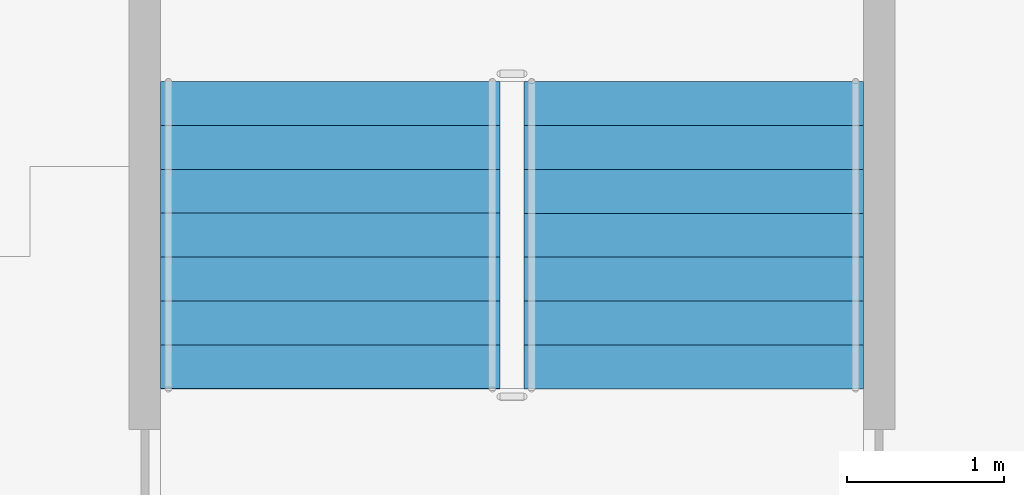
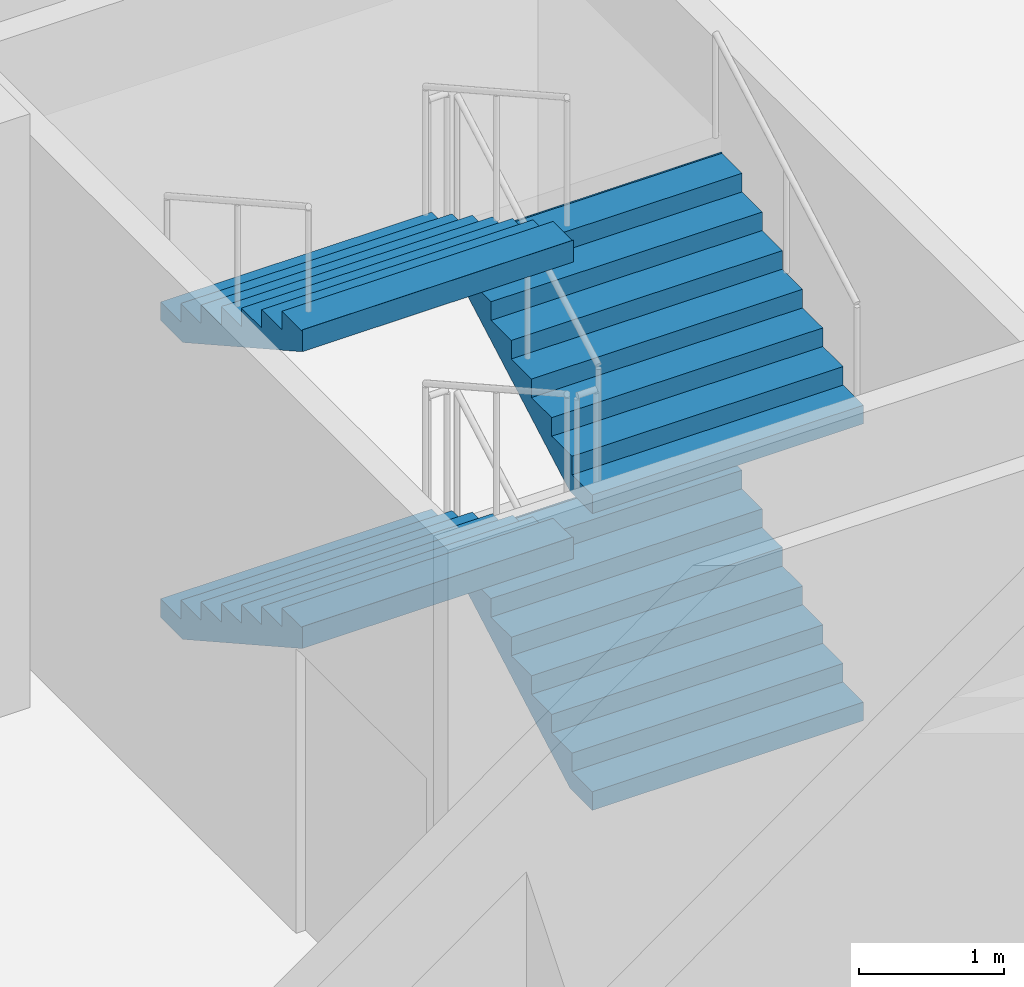
# One storey, part 14 of 27: 4 stair flights, 1 element without a shape of its own.
"""IFC4 building model written with IfcOpenShell, lengths in metres."""

from ifc_helpers import new_model, si_unit, direction, frame, origin, place, context, subcontext, project, spatial, faceted_brep, source, transform, mapped, material, type_object, element, aggregate, save


model = new_model("IFC4")

# Units and contexts
model_context = context("Model", 3, precision=1e-05, world=origin(), true_north=direction((0.0, 1.0)))
body_context = subcontext(model_context, "Body", "Model", "MODEL_VIEW")
ifc_project = project(units=[si_unit("LENGTHUNIT", "METRE"), si_unit("AREAUNIT", "SQUARE_METRE"), si_unit("VOLUMEUNIT", "CUBIC_METRE"), si_unit("PLANEANGLEUNIT", "RADIAN"), si_unit("MASSUNIT", "GRAM", prefix="KILO")], contexts=[model_context])

# Site, building, storey
site_placement = place(None, origin())
site = spatial("IfcSite", under=ifc_project, at=site_placement, CompositionType="ELEMENT")
building_placement = place(site_placement, origin())
building = spatial("IfcBuilding", under=site, at=building_placement, Name="Calabash Gate Tower", CompositionType="ELEMENT")
storey_placement = place(building_placement, frame((0.0, 0.0, -10.0)))
storey = spatial("IfcBuildingStorey", under=building, at=storey_placement, Name="B2", CompositionType="ELEMENT", Elevation=-10.0)

# Stair, stair flights
ifc_material_1 = material(Name="Concrete C40/50", Category="concrete")
stair_type = type_object("IfcStairType", Name="Public stair 32 risers of 156.2 mm", PredefinedType="HALF_TURN_STAIR", material=ifc_material_1)
stair_placement = place(storey_placement, origin())
stair = element("IfcStair", 1, at=stair_placement, inside=storey, type_object=stair_type, Name="B2 Public Stair PS4", PredefinedType="HALF_TURN_STAIR")
ifc_material_2 = material(Name="Concrete C40/50", Category="concrete")
stair_flight_type = type_object("IfcStairFlightType", Name="Exit stair flight SFL", PredefinedType="STRAIGHT", material=ifc_material_2)
shared_shape = source(origin(), body_context, "Body", "Brep", [
    faceted_brep([(-0.0009765625, -1.080078125, 0.0), (0.306884765625, -1.080078125, 0.0), (1.9541015625, -1.080078125, 0.921875), (-0.0009765625, 1.080078125, 0.0), (1.9541015625, 1.080078125, 0.921875), (0.306884765625, 1.080078125, 0.0), (1.9541015625, -1.080078125, 1.105712890625), (1.952880859375, -1.080078125, 1.105712890625), (1.952880859375, 1.080078125, 1.105712890625), (1.9541015625, 1.080078125, 1.105712890625), (1.952880859375, -1.080078125, 1.09375), (1.952880859375, 1.080078125, 1.09375), (1.674072265625, -1.080078125, 1.09375), (1.674072265625, 1.080078125, 1.09375), (1.674072265625, -1.080078125, 0.9375), (1.674072265625, 1.080078125, 0.9375), (1.39501953125, -1.080078125, 0.9375), (1.39501953125, 1.080078125, 0.9375), (1.39501953125, -1.080078125, 0.78125), (1.39501953125, 1.080078125, 0.78125), (1.115966796875, -1.080078125, 0.78125), (1.115966796875, -1.080078125, 0.625), (1.115966796875, 1.080078125, 0.625), (1.115966796875, 1.080078125, 0.78125), (0.8369140625, -1.080078125, 0.625), (0.8369140625, -1.080078125, 0.46875), (0.8369140625, 1.080078125, 0.46875), (0.8369140625, 1.080078125, 0.625), (0.55810546875, -1.080078125, 0.46875), (0.55810546875, -1.080078125, 0.3125), (0.55810546875, 1.080078125, 0.3125), (0.55810546875, 1.080078125, 0.46875), (0.279052734375, -1.080078125, 0.3125), (0.279052734375, -1.080078125, 0.15625), (0.279052734375, 1.080078125, 0.15625), (0.279052734375, 1.080078125, 0.3125), (-0.0009765625, -1.080078125, 0.15625), (-0.0009765625, 1.080078125, 0.15625), (0.306884765625, -0.431884765625, 0.0), (1.9541015625, -0.431884765625, 0.921875), (0.306884765625, -0.370361328125, 0.0), (1.9541015625, -0.370361328125, 0.921875), (0.306884765625, -0.30859375, 0.0), (1.9541015625, -0.30859375, 0.921875), (0.306884765625, -0.246826171875, 0.0), (1.9541015625, -0.246826171875, 0.921875), (0.306884765625, -0.18505859375, 0.0), (1.9541015625, -0.18505859375, 0.921875), (0.306884765625, -0.12353515625, 0.0), (1.9541015625, -0.12353515625, 0.921875), (0.306884765625, -0.061767578125, 0.0), (1.9541015625, -0.061767578125, 0.921875), (0.306884765625, 0.0, 0.0), (1.9541015625, 0.0, 0.921875), (0.306884765625, 0.061767578125, 0.0), (1.9541015625, 0.061767578125, 0.921875), (0.306884765625, 0.12353515625, 0.0), (1.9541015625, 0.12353515625, 0.921875), (0.306884765625, 0.18505859375, 0.0), (1.9541015625, 0.18505859375, 0.921875), (0.306884765625, 0.246826171875, 0.0), (1.9541015625, 0.246826171875, 0.921875), (0.306884765625, 0.30859375, 0.0), (1.9541015625, 0.30859375, 0.921875), (0.306884765625, 0.370361328125, 0.0), (1.9541015625, 0.370361328125, 0.921875), (0.306884765625, 0.431884765625, 0.0), (1.9541015625, 0.431884765625, 0.921875), (1.9541015625, -0.431884765625, 1.105712890625), (1.9541015625, -0.370361328125, 1.105712890625), (1.9541015625, -0.30859375, 1.105712890625), (1.9541015625, -0.246826171875, 1.105712890625), (1.9541015625, -0.18505859375, 1.105712890625), (1.9541015625, -0.12353515625, 1.105712890625), (1.9541015625, -0.061767578125, 1.105712890625), (1.9541015625, 0.0, 1.105712890625), (1.9541015625, 0.061767578125, 1.105712890625), (1.9541015625, 0.12353515625, 1.105712890625), (1.9541015625, 0.18505859375, 1.105712890625), (1.9541015625, 0.246826171875, 1.105712890625), (1.9541015625, 0.30859375, 1.105712890625), (1.9541015625, 0.370361328125, 1.105712890625), (1.9541015625, 0.431884765625, 1.105712890625), (1.952880859375, -0.431884765625, 1.105712890625), (1.952880859375, -0.370361328125, 1.105712890625), (1.952880859375, -0.30859375, 1.105712890625), (1.952880859375, -0.246826171875, 1.105712890625), (1.952880859375, -0.18505859375, 1.105712890625), (1.952880859375, -0.12353515625, 1.105712890625), (1.952880859375, -0.061767578125, 1.105712890625), (1.952880859375, 0.0, 1.105712890625), (1.952880859375, 0.061767578125, 1.105712890625), (1.952880859375, 0.12353515625, 1.105712890625), (1.952880859375, 0.18505859375, 1.105712890625), (1.952880859375, 0.246826171875, 1.105712890625), (1.952880859375, 0.30859375, 1.105712890625), (1.952880859375, 0.370361328125, 1.105712890625), (1.952880859375, 0.431884765625, 1.105712890625), (1.952880859375, -0.431884765625, 1.09375), (1.952880859375, -0.370361328125, 1.09375), (1.952880859375, -0.30859375, 1.09375), (1.952880859375, -0.246826171875, 1.09375), (1.952880859375, -0.18505859375, 1.09375), (1.952880859375, -0.12353515625, 1.09375), (1.952880859375, -0.061767578125, 1.09375), (1.952880859375, 0.0, 1.09375), (1.952880859375, 0.061767578125, 1.09375), (1.952880859375, 0.12353515625, 1.09375), (1.952880859375, 0.18505859375, 1.09375), (1.952880859375, 0.246826171875, 1.09375), (1.952880859375, 0.30859375, 1.09375), (1.952880859375, 0.370361328125, 1.09375), (1.952880859375, 0.431884765625, 1.09375), (1.674072265625, -0.431884765625, 1.09375), (1.674072265625, -0.370361328125, 1.09375), (1.674072265625, -0.30859375, 1.09375), (1.674072265625, -0.246826171875, 1.09375), (1.674072265625, -0.18505859375, 1.09375), (1.674072265625, -0.12353515625, 1.09375), (1.674072265625, -0.061767578125, 1.09375), (1.674072265625, 0.0, 1.09375), (1.674072265625, 0.061767578125, 1.09375), (1.674072265625, 0.12353515625, 1.09375), (1.674072265625, 0.18505859375, 1.09375), (1.674072265625, 0.246826171875, 1.09375), (1.674072265625, 0.30859375, 1.09375), (1.674072265625, 0.370361328125, 1.09375), (1.674072265625, 0.431884765625, 1.09375), (1.674072265625, -0.431884765625, 0.9375), (1.674072265625, -0.370361328125, 0.9375), (1.674072265625, -0.30859375, 0.9375), (1.674072265625, -0.246826171875, 0.9375), (1.674072265625, -0.18505859375, 0.9375), (1.674072265625, -0.12353515625, 0.9375), (1.674072265625, -0.061767578125, 0.9375), (1.674072265625, 0.0, 0.9375), (1.674072265625, 0.061767578125, 0.9375), (1.674072265625, 0.12353515625, 0.9375), (1.674072265625, 0.18505859375, 0.9375), (1.674072265625, 0.246826171875, 0.9375), (1.674072265625, 0.30859375, 0.9375), (1.674072265625, 0.370361328125, 0.9375), (1.674072265625, 0.431884765625, 0.9375), (1.39501953125, -0.431884765625, 0.9375), (1.39501953125, -0.370361328125, 0.9375), (1.39501953125, -0.30859375, 0.9375), (1.39501953125, -0.246826171875, 0.9375), (1.39501953125, -0.18505859375, 0.9375), (1.39501953125, -0.12353515625, 0.9375), (1.39501953125, -0.061767578125, 0.9375), (1.39501953125, 0.0, 0.9375), (1.39501953125, 0.061767578125, 0.9375), (1.39501953125, 0.12353515625, 0.9375), (1.39501953125, 0.18505859375, 0.9375), (1.39501953125, 0.246826171875, 0.9375), (1.39501953125, 0.30859375, 0.9375), (1.39501953125, 0.370361328125, 0.9375), (1.39501953125, 0.431884765625, 0.9375), (1.39501953125, -0.431884765625, 0.78125), (1.39501953125, -0.370361328125, 0.78125), (1.39501953125, -0.30859375, 0.78125), (1.39501953125, -0.246826171875, 0.78125), (1.39501953125, -0.18505859375, 0.78125), (1.39501953125, -0.12353515625, 0.78125), (1.39501953125, -0.061767578125, 0.78125), (1.39501953125, 0.0, 0.78125), (1.39501953125, 0.061767578125, 0.78125), (1.39501953125, 0.12353515625, 0.78125), (1.39501953125, 0.18505859375, 0.78125), (1.39501953125, 0.246826171875, 0.78125), (1.39501953125, 0.30859375, 0.78125), (1.39501953125, 0.370361328125, 0.78125), (1.39501953125, 0.431884765625, 0.78125), (1.115966796875, -0.431884765625, 0.78125), (1.115966796875, -0.370361328125, 0.78125), (1.115966796875, -0.30859375, 0.78125), (1.115966796875, -0.246826171875, 0.78125), (1.115966796875, -0.18505859375, 0.78125), (1.115966796875, -0.12353515625, 0.78125), (1.115966796875, -0.061767578125, 0.78125), (1.115966796875, 0.0, 0.78125), (1.115966796875, 0.061767578125, 0.78125), (1.115966796875, 0.12353515625, 0.78125), (1.115966796875, 0.18505859375, 0.78125), (1.115966796875, 0.246826171875, 0.78125), (1.115966796875, 0.30859375, 0.78125), (1.115966796875, 0.370361328125, 0.78125), (1.115966796875, 0.431884765625, 0.78125), (1.115966796875, -0.431884765625, 0.625), (1.115966796875, -0.370361328125, 0.625), (1.115966796875, -0.30859375, 0.625), (1.115966796875, -0.246826171875, 0.625), (1.115966796875, -0.18505859375, 0.625), (1.115966796875, -0.12353515625, 0.625), (1.115966796875, -0.061767578125, 0.625), (1.115966796875, 0.0, 0.625), (1.115966796875, 0.061767578125, 0.625), (1.115966796875, 0.12353515625, 0.625), (1.115966796875, 0.18505859375, 0.625), (1.115966796875, 0.246826171875, 0.625), (1.115966796875, 0.30859375, 0.625), (1.115966796875, 0.370361328125, 0.625), (1.115966796875, 0.431884765625, 0.625), (0.8369140625, -0.431884765625, 0.625), (0.8369140625, -0.370361328125, 0.625), (0.8369140625, -0.30859375, 0.625), (0.8369140625, -0.246826171875, 0.625), (0.8369140625, -0.18505859375, 0.625), (0.8369140625, -0.12353515625, 0.625), (0.8369140625, -0.061767578125, 0.625), (0.8369140625, 0.0, 0.625), (0.8369140625, 0.061767578125, 0.625), (0.8369140625, 0.12353515625, 0.625), (0.8369140625, 0.18505859375, 0.625), (0.8369140625, 0.246826171875, 0.625), (0.8369140625, 0.30859375, 0.625), (0.8369140625, 0.370361328125, 0.625), (0.8369140625, 0.431884765625, 0.625), (0.8369140625, -0.431884765625, 0.46875), (0.8369140625, -0.370361328125, 0.46875), (0.8369140625, -0.30859375, 0.46875), (0.8369140625, -0.246826171875, 0.46875), (0.8369140625, -0.18505859375, 0.46875), (0.8369140625, -0.12353515625, 0.46875), (0.8369140625, -0.061767578125, 0.46875), (0.8369140625, 0.0, 0.46875), (0.8369140625, 0.061767578125, 0.46875), (0.8369140625, 0.12353515625, 0.46875), (0.8369140625, 0.18505859375, 0.46875), (0.8369140625, 0.246826171875, 0.46875), (0.8369140625, 0.30859375, 0.46875), (0.8369140625, 0.370361328125, 0.46875), (0.8369140625, 0.431884765625, 0.46875), (0.55810546875, -0.431884765625, 0.46875), (0.55810546875, -0.370361328125, 0.46875), (0.55810546875, -0.30859375, 0.46875), (0.55810546875, -0.246826171875, 0.46875), (0.55810546875, -0.18505859375, 0.46875), (0.55810546875, -0.12353515625, 0.46875), (0.55810546875, -0.061767578125, 0.46875), (0.55810546875, 0.0, 0.46875), (0.55810546875, 0.061767578125, 0.46875), (0.55810546875, 0.12353515625, 0.46875), (0.55810546875, 0.18505859375, 0.46875), (0.55810546875, 0.246826171875, 0.46875), (0.55810546875, 0.30859375, 0.46875), (0.55810546875, 0.370361328125, 0.46875), (0.55810546875, 0.431884765625, 0.46875), (0.55810546875, -0.431884765625, 0.3125), (0.55810546875, -0.370361328125, 0.3125), (0.55810546875, -0.30859375, 0.3125), (0.55810546875, -0.246826171875, 0.3125), (0.55810546875, -0.18505859375, 0.3125), (0.55810546875, -0.12353515625, 0.3125), (0.55810546875, -0.061767578125, 0.3125), (0.55810546875, 0.0, 0.3125), (0.55810546875, 0.061767578125, 0.3125), (0.55810546875, 0.12353515625, 0.3125), (0.55810546875, 0.18505859375, 0.3125), (0.55810546875, 0.246826171875, 0.3125), (0.55810546875, 0.30859375, 0.3125), (0.55810546875, 0.370361328125, 0.3125), (0.55810546875, 0.431884765625, 0.3125), (0.279052734375, -0.431884765625, 0.3125), (0.279052734375, -0.370361328125, 0.3125), (0.279052734375, -0.30859375, 0.3125), (0.279052734375, -0.246826171875, 0.3125), (0.279052734375, -0.18505859375, 0.3125), (0.279052734375, -0.12353515625, 0.3125), (0.279052734375, -0.061767578125, 0.3125), (0.279052734375, 0.0, 0.3125), (0.279052734375, 0.061767578125, 0.3125), (0.279052734375, 0.12353515625, 0.3125), (0.279052734375, 0.18505859375, 0.3125), (0.279052734375, 0.246826171875, 0.3125), (0.279052734375, 0.30859375, 0.3125), (0.279052734375, 0.370361328125, 0.3125), (0.279052734375, 0.431884765625, 0.3125), (0.279052734375, -0.431884765625, 0.15625), (0.279052734375, -0.370361328125, 0.15625), (0.279052734375, -0.30859375, 0.15625), (0.279052734375, -0.246826171875, 0.15625), (0.279052734375, -0.18505859375, 0.15625), (0.279052734375, -0.12353515625, 0.15625), (0.279052734375, -0.061767578125, 0.15625), (0.279052734375, 0.0, 0.15625), (0.279052734375, 0.061767578125, 0.15625), (0.279052734375, 0.12353515625, 0.15625), (0.279052734375, 0.18505859375, 0.15625), (0.279052734375, 0.246826171875, 0.15625), (0.279052734375, 0.30859375, 0.15625), (0.279052734375, 0.370361328125, 0.15625), (0.279052734375, 0.431884765625, 0.15625), (-0.0009765625, -0.431884765625, 0.15625), (-0.0009765625, -0.370361328125, 0.15625), (-0.0009765625, -0.30859375, 0.15625), (-0.0009765625, -0.246826171875, 0.15625), (-0.0009765625, -0.18505859375, 0.15625), (-0.0009765625, -0.12353515625, 0.15625), (-0.0009765625, -0.061767578125, 0.15625), (-0.0009765625, 0.0, 0.15625), (-0.0009765625, 0.061767578125, 0.15625), (-0.0009765625, 0.12353515625, 0.15625), (-0.0009765625, 0.18505859375, 0.15625), (-0.0009765625, 0.246826171875, 0.15625), (-0.0009765625, 0.30859375, 0.15625), (-0.0009765625, 0.370361328125, 0.15625), (-0.0009765625, 0.431884765625, 0.15625), (-0.0009765625, -0.431884765625, 0.0), (-0.0009765625, -0.370361328125, 0.0), (-0.0009765625, -0.30859375, 0.0), (-0.0009765625, -0.246826171875, 0.0), (-0.0009765625, -0.18505859375, 0.0), (-0.0009765625, -0.12353515625, 0.0), (-0.0009765625, -0.061767578125, 0.0), (-0.0009765625, 0.0, 0.0), (-0.0009765625, 0.061767578125, 0.0), (-0.0009765625, 0.12353515625, 0.0), (-0.0009765625, 0.18505859375, 0.0), (-0.0009765625, 0.246826171875, 0.0), (-0.0009765625, 0.30859375, 0.0), (-0.0009765625, 0.370361328125, 0.0), (-0.0009765625, 0.431884765625, 0.0)], [[[0, 1, 2]], [[3, 4, 5]], [[2, 6, 7]], [[4, 8, 9]], [[2, 7, 10]], [[4, 11, 8]], [[2, 10, 12]], [[4, 13, 11]], [[2, 12, 14]], [[4, 15, 13]], [[2, 14, 16]], [[4, 17, 15]], [[2, 16, 18]], [[4, 19, 17]], [[18, 20, 21]], [[19, 22, 23]], [[2, 18, 21]], [[4, 22, 19]], [[21, 24, 25]], [[22, 26, 27]], [[2, 21, 25]], [[4, 26, 22]], [[25, 28, 29]], [[26, 30, 31]], [[2, 25, 29]], [[4, 30, 26]], [[29, 32, 33]], [[30, 34, 35]], [[2, 29, 33]], [[4, 34, 30]], [[0, 2, 33]], [[3, 34, 4]], [[33, 36, 0]], [[34, 3, 37]], [[1, 38, 2]], [[38, 39, 2]], [[38, 40, 39]], [[40, 41, 39]], [[40, 42, 41]], [[42, 43, 41]], [[42, 44, 43]], [[44, 45, 43]], [[44, 46, 45]], [[46, 47, 45]], [[46, 48, 47]], [[48, 49, 47]], [[48, 50, 49]], [[50, 51, 49]], [[50, 52, 51]], [[52, 53, 51]], [[52, 54, 55]], [[52, 55, 53]], [[54, 56, 57]], [[54, 57, 55]], [[56, 58, 59]], [[56, 59, 57]], [[58, 60, 61]], [[58, 61, 59]], [[60, 62, 63]], [[60, 63, 61]], [[62, 64, 65]], [[62, 65, 63]], [[64, 66, 67]], [[64, 67, 65]], [[66, 5, 4]], [[66, 4, 67]], [[2, 39, 6]], [[39, 68, 6]], [[39, 41, 68]], [[41, 69, 68]], [[41, 43, 69]], [[43, 70, 69]], [[43, 45, 70]], [[45, 71, 70]], [[45, 47, 71]], [[47, 72, 71]], [[47, 49, 72]], [[49, 73, 72]], [[49, 51, 73]], [[51, 74, 73]], [[51, 53, 74]], [[53, 75, 74]], [[53, 55, 76]], [[53, 76, 75]], [[55, 57, 77]], [[55, 77, 76]], [[57, 59, 78]], [[57, 78, 77]], [[59, 61, 79]], [[59, 79, 78]], [[61, 63, 80]], [[61, 80, 79]], [[63, 65, 81]], [[63, 81, 80]], [[65, 67, 82]], [[65, 82, 81]], [[67, 4, 9]], [[67, 9, 82]], [[6, 68, 7]], [[68, 83, 7]], [[68, 69, 83]], [[69, 84, 83]], [[69, 70, 84]], [[70, 85, 84]], [[70, 71, 85]], [[71, 86, 85]], [[71, 72, 86]], [[72, 87, 86]], [[72, 73, 87]], [[73, 88, 87]], [[73, 74, 88]], [[74, 89, 88]], [[74, 75, 89]], [[75, 90, 89]], [[75, 76, 91]], [[75, 91, 90]], [[76, 77, 92]], [[76, 92, 91]], [[77, 78, 93]], [[77, 93, 92]], [[78, 79, 94]], [[78, 94, 93]], [[79, 80, 95]], [[79, 95, 94]], [[80, 81, 96]], [[80, 96, 95]], [[81, 82, 97]], [[81, 97, 96]], [[82, 9, 8]], [[82, 8, 97]], [[7, 83, 10]], [[83, 98, 10]], [[83, 84, 98]], [[84, 99, 98]], [[84, 85, 99]], [[85, 100, 99]], [[85, 86, 100]], [[86, 101, 100]], [[86, 87, 101]], [[87, 102, 101]], [[87, 88, 102]], [[88, 103, 102]], [[88, 89, 103]], [[89, 104, 103]], [[89, 90, 104]], [[90, 105, 104]], [[90, 91, 106]], [[90, 106, 105]], [[91, 92, 107]], [[91, 107, 106]], [[92, 93, 108]], [[92, 108, 107]], [[93, 94, 109]], [[93, 109, 108]], [[94, 95, 110]], [[94, 110, 109]], [[95, 96, 111]], [[95, 111, 110]], [[96, 97, 112]], [[96, 112, 111]], [[97, 8, 11]], [[97, 11, 112]], [[10, 98, 12]], [[98, 113, 12]], [[98, 99, 113]], [[99, 114, 113]], [[99, 100, 114]], [[100, 115, 114]], [[100, 101, 115]], [[101, 116, 115]], [[101, 102, 116]], [[102, 117, 116]], [[102, 103, 117]], [[103, 118, 117]], [[103, 104, 118]], [[104, 119, 118]], [[104, 105, 119]], [[105, 120, 119]], [[105, 106, 121]], [[105, 121, 120]], [[106, 107, 122]], [[106, 122, 121]], [[107, 108, 123]], [[107, 123, 122]], [[108, 109, 124]], [[108, 124, 123]], [[109, 110, 125]], [[109, 125, 124]], [[110, 111, 126]], [[110, 126, 125]], [[111, 112, 127]], [[111, 127, 126]], [[112, 11, 13]], [[112, 13, 127]], [[12, 113, 14]], [[113, 128, 14]], [[113, 114, 128]], [[114, 129, 128]], [[114, 115, 129]], [[115, 130, 129]], [[115, 116, 130]], [[116, 131, 130]], [[116, 117, 131]], [[117, 132, 131]], [[117, 118, 132]], [[118, 133, 132]], [[118, 119, 133]], [[119, 134, 133]], [[119, 120, 134]], [[120, 135, 134]], [[120, 121, 136]], [[120, 136, 135]], [[121, 122, 137]], [[121, 137, 136]], [[122, 123, 138]], [[122, 138, 137]], [[123, 124, 139]], [[123, 139, 138]], [[124, 125, 140]], [[124, 140, 139]], [[125, 126, 141]], [[125, 141, 140]], [[126, 127, 142]], [[126, 142, 141]], [[127, 13, 15]], [[127, 15, 142]], [[14, 128, 16]], [[128, 143, 16]], [[128, 129, 143]], [[129, 144, 143]], [[129, 130, 144]], [[130, 145, 144]], [[130, 131, 145]], [[131, 146, 145]], [[131, 132, 146]], [[132, 147, 146]], [[132, 133, 147]], [[133, 148, 147]], [[133, 134, 148]], [[134, 149, 148]], [[134, 135, 149]], [[135, 150, 149]], [[135, 136, 151]], [[135, 151, 150]], [[136, 137, 152]], [[136, 152, 151]], [[137, 138, 153]], [[137, 153, 152]], [[138, 139, 154]], [[138, 154, 153]], [[139, 140, 155]], [[139, 155, 154]], [[140, 141, 156]], [[140, 156, 155]], [[141, 142, 157]], [[141, 157, 156]], [[142, 15, 17]], [[142, 17, 157]], [[16, 143, 18]], [[143, 158, 18]], [[143, 144, 158]], [[144, 159, 158]], [[144, 145, 159]], [[145, 160, 159]], [[145, 146, 160]], [[146, 161, 160]], [[146, 147, 161]], [[147, 162, 161]], [[147, 148, 162]], [[148, 163, 162]], [[148, 149, 163]], [[149, 164, 163]], [[149, 150, 164]], [[150, 165, 164]], [[150, 151, 166]], [[150, 166, 165]], [[151, 152, 167]], [[151, 167, 166]], [[152, 153, 168]], [[152, 168, 167]], [[153, 154, 169]], [[153, 169, 168]], [[154, 155, 170]], [[154, 170, 169]], [[155, 156, 171]], [[155, 171, 170]], [[156, 157, 172]], [[156, 172, 171]], [[157, 17, 19]], [[157, 19, 172]], [[18, 158, 20]], [[158, 173, 20]], [[158, 159, 173]], [[159, 174, 173]], [[159, 160, 174]], [[160, 175, 174]], [[160, 161, 175]], [[161, 176, 175]], [[161, 162, 176]], [[162, 177, 176]], [[162, 163, 177]], [[163, 178, 177]], [[163, 164, 178]], [[164, 179, 178]], [[164, 165, 179]], [[165, 180, 179]], [[165, 166, 181]], [[165, 181, 180]], [[166, 167, 182]], [[166, 182, 181]], [[167, 168, 183]], [[167, 183, 182]], [[168, 169, 184]], [[168, 184, 183]], [[169, 170, 185]], [[169, 185, 184]], [[170, 171, 186]], [[170, 186, 185]], [[171, 172, 187]], [[171, 187, 186]], [[172, 19, 23]], [[172, 23, 187]], [[20, 173, 21]], [[173, 188, 21]], [[173, 174, 188]], [[174, 189, 188]], [[174, 175, 189]], [[175, 190, 189]], [[175, 176, 190]], [[176, 191, 190]], [[176, 177, 191]], [[177, 192, 191]], [[177, 178, 192]], [[178, 193, 192]], [[178, 179, 193]], [[179, 194, 193]], [[179, 180, 194]], [[180, 195, 194]], [[180, 181, 196]], [[180, 196, 195]], [[181, 182, 197]], [[181, 197, 196]], [[182, 183, 198]], [[182, 198, 197]], [[183, 184, 199]], [[183, 199, 198]], [[184, 185, 200]], [[184, 200, 199]], [[185, 186, 201]], [[185, 201, 200]], [[186, 187, 202]], [[186, 202, 201]], [[187, 23, 22]], [[187, 22, 202]], [[21, 188, 24]], [[188, 203, 24]], [[188, 189, 203]], [[189, 204, 203]], [[189, 190, 204]], [[190, 205, 204]], [[190, 191, 205]], [[191, 206, 205]], [[191, 192, 206]], [[192, 207, 206]], [[192, 193, 207]], [[193, 208, 207]], [[193, 194, 208]], [[194, 209, 208]], [[194, 195, 209]], [[195, 210, 209]], [[195, 196, 211]], [[195, 211, 210]], [[196, 197, 212]], [[196, 212, 211]], [[197, 198, 213]], [[197, 213, 212]], [[198, 199, 214]], [[198, 214, 213]], [[199, 200, 215]], [[199, 215, 214]], [[200, 201, 216]], [[200, 216, 215]], [[201, 202, 217]], [[201, 217, 216]], [[202, 22, 27]], [[202, 27, 217]], [[24, 203, 25]], [[203, 218, 25]], [[203, 204, 218]], [[204, 219, 218]], [[204, 205, 219]], [[205, 220, 219]], [[205, 206, 220]], [[206, 221, 220]], [[206, 207, 221]], [[207, 222, 221]], [[207, 208, 222]], [[208, 223, 222]], [[208, 209, 223]], [[209, 224, 223]], [[209, 210, 224]], [[210, 225, 224]], [[210, 211, 226]], [[210, 226, 225]], [[211, 212, 227]], [[211, 227, 226]], [[212, 213, 228]], [[212, 228, 227]], [[213, 214, 229]], [[213, 229, 228]], [[214, 215, 230]], [[214, 230, 229]], [[215, 216, 231]], [[215, 231, 230]], [[216, 217, 232]], [[216, 232, 231]], [[217, 27, 26]], [[217, 26, 232]], [[25, 218, 28]], [[218, 233, 28]], [[218, 219, 233]], [[219, 234, 233]], [[219, 220, 234]], [[220, 235, 234]], [[220, 221, 235]], [[221, 236, 235]], [[221, 222, 236]], [[222, 237, 236]], [[222, 223, 237]], [[223, 238, 237]], [[223, 224, 238]], [[224, 239, 238]], [[224, 225, 239]], [[225, 240, 239]], [[225, 226, 241]], [[225, 241, 240]], [[226, 227, 242]], [[226, 242, 241]], [[227, 228, 243]], [[227, 243, 242]], [[228, 229, 244]], [[228, 244, 243]], [[229, 230, 245]], [[229, 245, 244]], [[230, 231, 246]], [[230, 246, 245]], [[231, 232, 247]], [[231, 247, 246]], [[232, 26, 31]], [[232, 31, 247]], [[28, 233, 29]], [[233, 248, 29]], [[233, 234, 248]], [[234, 249, 248]], [[234, 235, 249]], [[235, 250, 249]], [[235, 236, 250]], [[236, 251, 250]], [[236, 237, 251]], [[237, 252, 251]], [[237, 238, 252]], [[238, 253, 252]], [[238, 239, 253]], [[239, 254, 253]], [[239, 240, 254]], [[240, 255, 254]], [[240, 241, 256]], [[240, 256, 255]], [[241, 242, 257]], [[241, 257, 256]], [[242, 243, 258]], [[242, 258, 257]], [[243, 244, 259]], [[243, 259, 258]], [[244, 245, 260]], [[244, 260, 259]], [[245, 246, 261]], [[245, 261, 260]], [[246, 247, 262]], [[246, 262, 261]], [[247, 31, 30]], [[247, 30, 262]], [[29, 248, 32]], [[248, 263, 32]], [[248, 249, 263]], [[249, 264, 263]], [[249, 250, 264]], [[250, 265, 264]], [[250, 251, 265]], [[251, 266, 265]], [[251, 252, 266]], [[252, 267, 266]], [[252, 253, 267]], [[253, 268, 267]], [[253, 254, 268]], [[254, 269, 268]], [[254, 255, 269]], [[255, 270, 269]], [[255, 256, 271]], [[255, 271, 270]], [[256, 257, 272]], [[256, 272, 271]], [[257, 258, 273]], [[257, 273, 272]], [[258, 259, 274]], [[258, 274, 273]], [[259, 260, 275]], [[259, 275, 274]], [[260, 261, 276]], [[260, 276, 275]], [[261, 262, 277]], [[261, 277, 276]], [[262, 30, 35]], [[262, 35, 277]], [[32, 263, 33]], [[263, 278, 33]], [[263, 264, 278]], [[264, 279, 278]], [[264, 265, 279]], [[265, 280, 279]], [[265, 266, 280]], [[266, 281, 280]], [[266, 267, 281]], [[267, 282, 281]], [[267, 268, 282]], [[268, 283, 282]], [[268, 269, 283]], [[269, 284, 283]], [[269, 270, 284]], [[270, 285, 284]], [[270, 271, 286]], [[270, 286, 285]], [[271, 272, 287]], [[271, 287, 286]], [[272, 273, 288]], [[272, 288, 287]], [[273, 274, 289]], [[273, 289, 288]], [[274, 275, 290]], [[274, 290, 289]], [[275, 276, 291]], [[275, 291, 290]], [[276, 277, 292]], [[276, 292, 291]], [[277, 35, 34]], [[277, 34, 292]], [[33, 278, 36]], [[278, 293, 36]], [[278, 279, 293]], [[279, 294, 293]], [[279, 280, 294]], [[280, 295, 294]], [[280, 281, 295]], [[281, 296, 295]], [[281, 282, 296]], [[282, 297, 296]], [[282, 283, 297]], [[283, 298, 297]], [[283, 284, 298]], [[284, 299, 298]], [[284, 285, 299]], [[285, 300, 299]], [[285, 286, 301]], [[285, 301, 300]], [[286, 287, 302]], [[286, 302, 301]], [[287, 288, 303]], [[287, 303, 302]], [[288, 289, 304]], [[288, 304, 303]], [[289, 290, 305]], [[289, 305, 304]], [[290, 291, 306]], [[290, 306, 305]], [[291, 292, 307]], [[291, 307, 306]], [[292, 34, 37]], [[292, 37, 307]], [[36, 293, 0]], [[293, 308, 0]], [[293, 294, 308]], [[294, 309, 308]], [[294, 295, 309]], [[295, 310, 309]], [[295, 296, 310]], [[296, 311, 310]], [[296, 297, 311]], [[297, 312, 311]], [[297, 298, 312]], [[298, 313, 312]], [[298, 299, 313]], [[299, 314, 313]], [[299, 300, 314]], [[300, 315, 314]], [[300, 301, 316]], [[300, 316, 315]], [[301, 302, 317]], [[301, 317, 316]], [[302, 303, 318]], [[302, 318, 317]], [[303, 304, 319]], [[303, 319, 318]], [[304, 305, 320]], [[304, 320, 319]], [[305, 306, 321]], [[305, 321, 320]], [[306, 307, 322]], [[306, 322, 321]], [[307, 37, 3]], [[307, 3, 322]], [[0, 308, 1]], [[308, 38, 1]], [[308, 309, 38]], [[309, 40, 38]], [[309, 310, 40]], [[310, 42, 40]], [[310, 311, 42]], [[311, 44, 42]], [[311, 312, 44]], [[312, 46, 44]], [[312, 313, 46]], [[313, 48, 46]], [[313, 314, 48]], [[314, 50, 48]], [[314, 315, 50]], [[315, 52, 50]], [[315, 316, 54]], [[315, 54, 52]], [[316, 317, 56]], [[316, 56, 54]], [[317, 318, 58]], [[317, 58, 56]], [[318, 319, 60]], [[318, 60, 58]], [[319, 320, 62]], [[319, 62, 60]], [[320, 321, 64]], [[320, 64, 62]], [[321, 322, 66]], [[321, 66, 64]], [[322, 3, 5]], [[322, 5, 66]]]),
])
stair_flight_1_placement = place(storey_placement, frame((-34.780029296875, -0.0400390625, 0.0), z_axis=(0.0, 0.0, 1.0), x_axis=(0.0, 1.0, 0.0)))
stair_flight_1 = element("IfcStairFlight", 2, at=stair_flight_1_placement, type_object=stair_flight_type, Name="PS4 flight 1", NumberOfRisers=8, NumberOfTreads=7, PredefinedType="STRAIGHT", RiserHeight=0.15625, TreadLength=0.279, context=body_context, shape_type="MappedRepresentation", body=[
    mapped(shared_shape, transform((0.0, 0.0, 0.0), scale=1.0)),
])
stair_flight_2_placement = place(storey_placement, frame((-37.090087890625, 1.9130859375, 1.25), z_axis=(0.0, 0.0, 1.0), x_axis=(0.0, -1.0, 0.0)))
stair_flight_2 = element("IfcStairFlight", 3, at=stair_flight_2_placement, type_object=stair_flight_type, Name="PS4 flight 2", NumberOfRisers=8, NumberOfTreads=7, PredefinedType="STRAIGHT", RiserHeight=0.15625, TreadLength=0.279, context=body_context, shape_type="MappedRepresentation", body=[
    mapped(shared_shape, transform((0.0, 0.0, 0.0), scale=1.0)),
])
stair_flight_3_placement = place(storey_placement, frame((-34.780029296875, -0.0400390625, 2.5), z_axis=(0.0, 0.0, 1.0), x_axis=(0.0, 1.0, 0.0)))
stair_flight_3 = element("IfcStairFlight", 4, at=stair_flight_3_placement, type_object=stair_flight_type, Name="PS4 flight 3", NumberOfRisers=8, NumberOfTreads=7, PredefinedType="STRAIGHT", RiserHeight=0.15625, TreadLength=0.279, context=body_context, shape_type="MappedRepresentation", body=[
    mapped(shared_shape, transform((0.0, 0.0, 0.0), scale=1.0)),
])
stair_flight_4_placement = place(storey_placement, frame((-37.090087890625, 1.9130859375, 3.75), z_axis=(0.0, 0.0, 1.0), x_axis=(0.0, -1.0, 0.0)))
stair_flight_4 = element("IfcStairFlight", 5, at=stair_flight_4_placement, type_object=stair_flight_type, Name="PS4 flight 4", NumberOfRisers=8, NumberOfTreads=7, PredefinedType="STRAIGHT", RiserHeight=0.15625, TreadLength=0.279, context=body_context, shape_type="MappedRepresentation", body=[
    mapped(shared_shape, transform((0.0, 0.0, 0.0), scale=1.0)),
])
aggregate(stair, [stair_flight_1, stair_flight_2, stair_flight_3, stair_flight_4])

save(model, "model.ifc")
